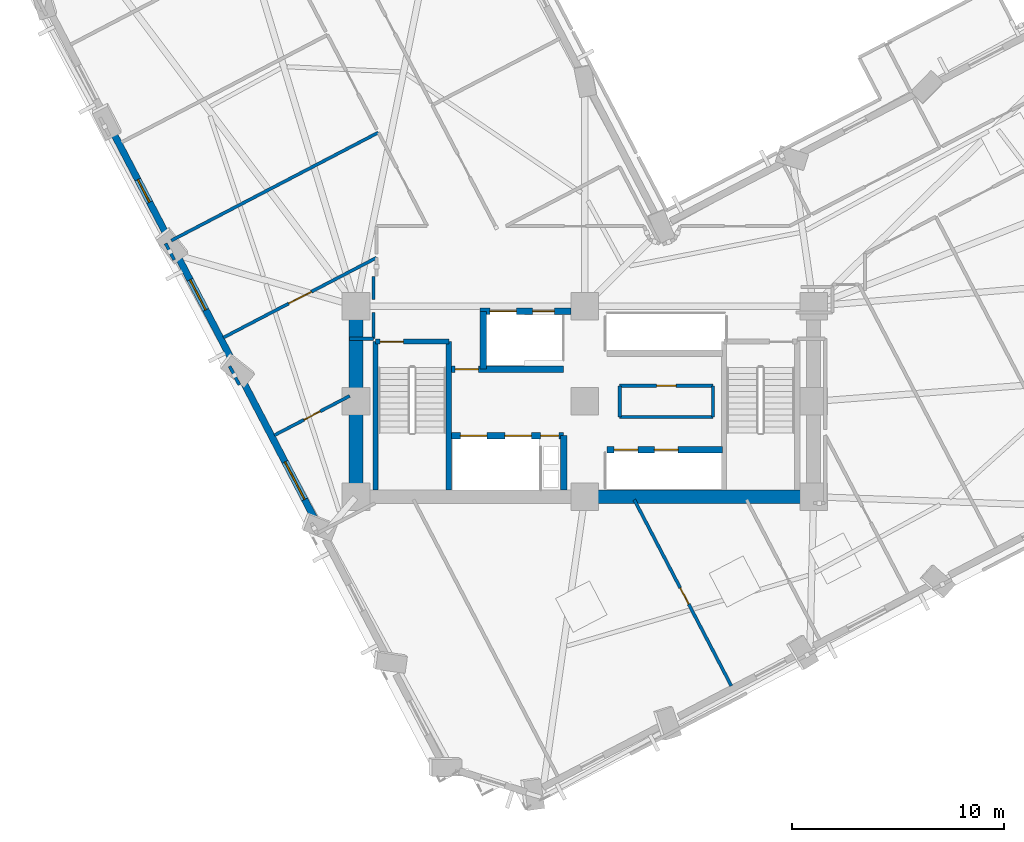
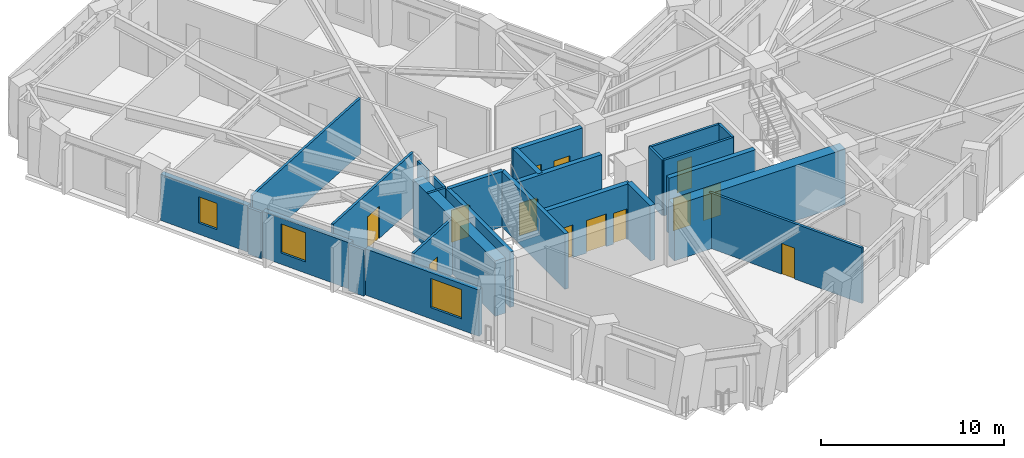
# One storey, part 8 of 16: 27 walls, 13 doors, 3 windows, 16 openings.
"""IFC4 building model written with IfcOpenShell, lengths in metres."""

from ifc_helpers import new_model, si_unit, direction, frame, frame_2d, origin, place, context, subcontext, project, spatial, rectangle, extrude, material, layer, layer_set, type_object, element, fill, save


model = new_model("IFC4")

# Units and contexts
model_context = context("Model", 3, precision=1e-05, world=origin(), true_north=direction((0.0, 1.0)))
body_context = subcontext(model_context, "Body", "Model", "MODEL_VIEW")
ifc_project = project(units=[si_unit("LENGTHUNIT", "METRE"), si_unit("AREAUNIT", "SQUARE_METRE"), si_unit("VOLUMEUNIT", "CUBIC_METRE"), si_unit("PLANEANGLEUNIT", "RADIAN"), si_unit("MASSUNIT", "GRAM", prefix="KILO")], contexts=[model_context])

# Site, building, storey
site_placement = place(None, origin())
site = spatial("IfcSite", under=ifc_project, at=site_placement, CompositionType="ELEMENT")
building_placement = place(site_placement, origin())
building = spatial("IfcBuilding", under=site, at=building_placement, Name="Gaonmaruhae Medical Tower", CompositionType="ELEMENT")
storey_placement = place(building_placement, frame((0.0, 0.0, 140.39990234375)))
storey = spatial("IfcBuildingStorey", under=building, at=storey_placement, Name="L33", CompositionType="ELEMENT", Elevation=140.39990234375)

# Walls
ifc_material_1 = material(Name="Concrete C60/75", Category="concrete")
ifc_layer_1 = layer(ifc_material_1, 0.64990234375)
ifc_layer_set_1 = layer_set([ifc_layer_1], Name="Concrete C60/75")
wall_type_1 = type_object("IfcWallType", Name="CW-650 Zone 2 Core Shear Wall", PredefinedType="SHEAR", material=ifc_layer_set_1)
wall_1_placement = place(storey_placement, frame((24.800048828125, 7.800048828125, 0.0), z_axis=(0.0, 0.0, 1.0), x_axis=(1.0, 0.0, 0.0)))
element("IfcWall", 1, at=wall_1_placement, inside=storey, type_object=wall_type_1, Name="L33 Core Shear Wall CSW-S2", PredefinedType="SHEAR", context=body_context, shape_type="SweptSolid", body=[
    extrude(rectangle(XDim=10.800048828125, YDim=0.64990234375, at=frame_2d((5.39990234375, 0.0))), origin(), (0.0, 0.0, 1.0), 3.7001953125),
])
wall_2_placement = place(storey_placement, frame((14.0, 16.800048828125, 0.0), z_axis=(0.0, 0.0, 1.0), x_axis=(0.0, -1.0, 0.0)))
element("IfcWall", 2, at=wall_2_placement, inside=storey, type_object=wall_type_1, Name="L33 Core Shear Wall CSW-W1", PredefinedType="SHEAR", context=body_context, shape_type="SweptSolid", body=[
    extrude(rectangle(XDim=9.0, YDim=0.64990234375, at=frame_2d((4.5, 0.0))), origin(), (0.0, 0.0, 1.0), 3.7001953125),
])

# Wall, opening, window
ifc_material_2 = material(Name="Precast concrete C45/55", Category="concrete")
ifc_layer_2 = layer(ifc_material_2, 0.320068359375)
ifc_layer_set_2 = layer_set([ifc_layer_2], Name="Precast concrete C45/55")
wall_type_2 = type_object("IfcWallType", Name="EW-320 Lower Precast Masonry-Frame Facade Wall", PredefinedType="SOLIDWALL", material=ifc_layer_set_2)
wall_3_placement = place(storey_placement, frame((5.1630859375, 19.9619140625, 0.0), z_axis=(0.0, 0.0, 1.0), x_axis=(-0.462505217962, 0.886616559375, 0.0)))
wall_3 = element("IfcWall", 3, at=wall_3_placement, inside=storey, type_object=wall_type_2, Name="L33 Precast Masonry-Frame Wall W02-W03", PredefinedType="SOLIDWALL", context=body_context, shape_type="SweptSolid", body=[
    extrude(rectangle(XDim=5.627685546875, YDim=0.320068359375, at=frame_2d((2.81396484375, 0.0))), origin(), (0.0, 0.0, 1.0), 3.085205078125),
])
opening_1_placement = place(wall_3_placement, frame((1.966796875, 0.0, 0.75)))
opening_1 = element("IfcOpeningElement", 4, at=opening_1_placement, cuts=wall_3, Name="Opening WN-05", PredefinedType="OPENING", context=body_context, shape_type="SweptSolid", body=[
    extrude(rectangle(XDim=1.199951171875, YDim=1.75, at=frame_2d((0.60009765625, 0.875))), frame((0.0, 0.169921875, 0.0), z_axis=(0.0, -1.0, 0.0), x_axis=(1.0, 0.0, 0.0)), (0.0, 0.0, 1.0), 0.340087890625),
])
ifc_material_3 = material(Name="Anodised aluminium and Low-E double glazing", Category="aluminium")
window_type_1 = type_object("IfcWindowType", Name="WN-05 Support & Staff Punched Window 1200x1750", PartitioningType="SINGLE_PANEL", PredefinedType="WINDOW", material=ifc_material_3)
window_1_placement = place(opening_1_placement, origin())
window_1 = element("IfcWindow", 5, at=window_1_placement, inside=storey, type_object=window_type_1, Name="L33 Modular Facade Window W02", OverallHeight=1.75, OverallWidth=1.199951171875, PartitioningType="SINGLE_PANEL", PredefinedType="WINDOW", context=body_context, shape_type="SweptSolid", body=[
    extrude(rectangle(XDim=1.199951171875, YDim=1.75, at=frame_2d((0.60009765625, 0.875))), frame((0.0, 0.030029296875, 0.0), z_axis=(0.0, -1.0, 0.0), x_axis=(1.0, 0.0, 0.0)), (0.0, 0.0, 1.0), 0.06005859375),
])
fill(opening_1, window_1)

wall_4_placement = place(storey_placement, frame((8.236572265625, 14.070556640625, 0.0), z_axis=(0.0, 0.0, 1.0), x_axis=(-0.462514432268, 0.886611752654, 0.0)))
wall_4 = element("IfcWall", 6, at=wall_4_placement, inside=storey, type_object=wall_type_2, Name="L33 Precast Masonry-Frame Wall W03-W04", PredefinedType="SOLIDWALL", context=body_context, shape_type="SweptSolid", body=[
    extrude(rectangle(XDim=5.662353515625, YDim=0.320068359375, at=frame_2d((2.8310546875, 0.0))), origin(), (0.0, 0.0, 1.0), 3.085205078125),
])
opening_2_placement = place(wall_4_placement, frame((2.880859375, 0.0, 0.75)))
opening_2 = element("IfcOpeningElement", 7, at=opening_2_placement, cuts=wall_4, Name="Opening WN-01", PredefinedType="OPENING", context=body_context, shape_type="SweptSolid", body=[
    extrude(rectangle(XDim=1.60009765625, YDim=1.949951171875, at=frame_2d((0.800048828125, 0.97509765625))), frame((0.0, 0.169921875, 0.0), z_axis=(0.0, -1.0, 0.0), x_axis=(1.0, 0.0, 0.0)), (0.0, 0.0, 1.0), 0.340087890625),
])
window_type_2 = type_object("IfcWindowType", Name="WN-01 Ward Punched Acoustic Window 1600x1950", PartitioningType="SINGLE_PANEL", PredefinedType="WINDOW", material=ifc_material_3)
window_2_placement = place(opening_2_placement, origin())
window_2 = element("IfcWindow", 8, at=window_2_placement, inside=storey, type_object=window_type_2, Name="L33 Modular Facade Window W03", OverallHeight=1.949951171875, OverallWidth=1.60009765625, PartitioningType="SINGLE_PANEL", PredefinedType="WINDOW", context=body_context, shape_type="SweptSolid", body=[
    extrude(rectangle(XDim=1.60009765625, YDim=1.949951171875, at=frame_2d((0.800048828125, 0.97509765625))), frame((0.0, 0.030029296875, 0.0), z_axis=(0.0, -1.0, 0.0), x_axis=(1.0, 0.0, 0.0)), (0.0, 0.0, 1.0), 0.06005859375),
])
fill(opening_2, window_2)

wall_5_placement = place(storey_placement, frame((12.099609375, 6.665283203125, 0.0), z_axis=(0.0, 0.0, 1.0), x_axis=(-0.462525196515, 0.886606137238, 0.0)))
wall_5 = element("IfcWall", 9, at=wall_5_placement, inside=storey, type_object=wall_type_2, Name="L33 Precast Masonry-Frame Wall W04-W05", PredefinedType="SOLIDWALL", context=body_context, shape_type="SweptSolid", body=[
    extrude(rectangle(XDim=7.3603515625, YDim=0.320068359375, at=frame_2d((3.68017578125, 0.0))), origin(), (0.0, 0.0, 1.0), 3.085205078125),
])
opening_3_placement = place(wall_5_placement, frame((1.1376953125, 0.0, 0.75)))
opening_3 = element("IfcOpeningElement", 10, at=opening_3_placement, cuts=wall_5, Name="Opening WN-02", PredefinedType="OPENING", context=body_context, shape_type="SweptSolid", body=[
    extrude(rectangle(XDim=2.0, YDim=1.949951171875, at=frame_2d((1.0, 0.97509765625))), frame((0.0, 0.169921875, 0.0), z_axis=(0.0, -1.0, 0.0), x_axis=(1.0, 0.0, 0.0)), (0.0, 0.0, 1.0), 0.340087890625),
])
window_type_3 = type_object("IfcWindowType", Name="WN-02 Double-Bed Ward Punched Window 2000x1950", PartitioningType="SINGLE_PANEL", PredefinedType="WINDOW", material=ifc_material_3)
window_3_placement = place(opening_3_placement, origin())
window_3 = element("IfcWindow", 11, at=window_3_placement, inside=storey, type_object=window_type_3, Name="L33 Modular Facade Window W04", OverallHeight=1.949951171875, OverallWidth=2.0, PartitioningType="SINGLE_PANEL", PredefinedType="WINDOW", context=body_context, shape_type="SweptSolid", body=[
    extrude(rectangle(XDim=2.0, YDim=1.949951171875, at=frame_2d((1.0, 0.97509765625))), frame((0.0, 0.030029296875, 0.0), z_axis=(0.0, -1.0, 0.0), x_axis=(1.0, 0.0, 0.0)), (0.0, 0.0, 1.0), 0.06005859375),
])
fill(opening_3, window_3)

# Wall
ifc_material_4 = material(Name="Gypsum board partition", Category="gypsum")
ifc_layer_3 = layer(ifc_material_4, 0.14990234375)
ifc_layer_set_3 = layer_set([ifc_layer_3], Name="Gypsum board partition")
wall_type_3 = type_object("IfcWallType", Name="PW-150 Rated Clinical Corridor Partition", PredefinedType="PARTITIONING", material=ifc_layer_set_3)
wall_6_placement = place(storey_placement, frame((26.449951171875, 11.56005859375, 0.0), z_axis=(0.0, 0.0, 1.0), x_axis=(0.0, 1.0, 0.0)))
element("IfcWall", 12, at=wall_6_placement, inside=storey, type_object=wall_type_3, Name="L33 Interior Partition L33-CS1-1", PredefinedType="PARTITIONING", context=body_context, shape_type="SweptSolid", body=[
    extrude(rectangle(XDim=1.47998046875, YDim=0.14990234375, at=frame_2d((0.739990234375, 0.0))), origin(), (0.0, 0.0, 1.0), 3.7001953125),
])

# Wall, opening, door
wall_7_placement = place(storey_placement, frame((26.449951171875, 13.0400390625, 0.0), z_axis=(0.0, 0.0, 1.0), x_axis=(1.0, 0.0, 0.0)))
wall_7 = element("IfcWall", 13, at=wall_7_placement, inside=storey, type_object=wall_type_3, Name="L33 Interior Partition L33-CS1-2", PredefinedType="PARTITIONING", context=body_context, shape_type="SweptSolid", body=[
    extrude(rectangle(XDim=4.400146484375, YDim=0.14990234375, at=frame_2d((2.2001953125, 0.0))), origin(), (0.0, 0.0, 1.0), 3.7001953125),
])
opening_4_placement = place(wall_7_placement, frame((1.739990234375, 0.0, 0.0)))
opening_4 = element("IfcOpeningElement", 14, at=opening_4_placement, cuts=wall_7, Name="Opening UD-01", PredefinedType="OPENING", context=body_context, shape_type="SweptSolid", body=[
    extrude(rectangle(XDim=0.919921875, YDim=2.10009765625, at=frame_2d((0.4599609375, 1.050048828125))), frame((0.0, 0.0849609375, 0.0), z_axis=(0.0, -1.0, 0.0), x_axis=(1.0, 0.0, 0.0)), (0.0, 0.0, 1.0), 0.169921875),
])
ifc_material_5 = material(Name="Powder-coated steel utility door", Category="steel")
door_type_1 = type_object("IfcDoorType", Name="UD-01 Toilet, Utility & Housekeeping Door 920x2100", OperationType="NOTDEFINED", PredefinedType="DOOR", material=ifc_material_5)
door_1_placement = place(opening_4_placement, origin())
door_1 = element("IfcDoor", 15, at=door_1_placement, inside=storey, type_object=door_type_1, Name="L33 Clean Linen Utility Store Door", OperationType="SINGLE_SWING_LEFT", OverallHeight=2.10009765625, OverallWidth=0.919921875, PredefinedType="DOOR", context=body_context, shape_type="SweptSolid", body=[
    extrude(rectangle(XDim=0.919921875, YDim=2.10009765625, at=frame_2d((0.4599609375, 1.050048828125))), frame((0.0, 0.02490234375, 0.0), z_axis=(0.0, -1.0, 0.0), x_axis=(1.0, 0.0, 0.0)), (0.0, 0.0, 1.0), 0.050048828125),
])
fill(opening_4, door_1)

# Walls
wall_8_placement = place(storey_placement, frame((30.85009765625, 13.0400390625, 0.0), z_axis=(0.0, 0.0, 1.0), x_axis=(0.0, -1.0, 0.0)))
element("IfcWall", 16, at=wall_8_placement, inside=storey, type_object=wall_type_3, Name="L33 Interior Partition L33-CS1-3", PredefinedType="PARTITIONING", context=body_context, shape_type="SweptSolid", body=[
    extrude(rectangle(XDim=1.47998046875, YDim=0.14990234375, at=frame_2d((0.739990234375, 0.0))), origin(), (0.0, 0.0, 1.0), 3.7001953125),
])
wall_9_placement = place(storey_placement, frame((30.85009765625, 11.56005859375, 0.0), z_axis=(0.0, 0.0, 1.0), x_axis=(-1.0, 0.0, 0.0)))
element("IfcWall", 17, at=wall_9_placement, inside=storey, type_object=wall_type_3, Name="L33 Interior Partition L33-CS1-4", PredefinedType="PARTITIONING", context=body_context, shape_type="SweptSolid", body=[
    extrude(rectangle(XDim=4.400146484375, YDim=0.14990234375, at=frame_2d((2.2001953125, 0.0))), origin(), (0.0, 0.0, 1.0), 3.7001953125),
])

# Wall, opening, door
wall_10_placement = place(storey_placement, frame((27.135986328125, 7.657958984375, 0.0), z_axis=(0.0, 0.0, 1.0), x_axis=(0.462417770768, -0.886662170884, 0.0)))
wall_10 = element("IfcWall", 18, at=wall_10_placement, inside=storey, type_object=wall_type_3, Name="L33 Interior Partition L33-SUP03-8", PredefinedType="PARTITIONING", context=body_context, shape_type="SweptSolid", body=[
    extrude(rectangle(XDim=9.90673828125, YDim=0.14990234375, at=frame_2d((4.953369140625, 0.0))), origin(), (0.0, 0.0, 1.0), 3.7001953125),
])
opening_5_placement = place(wall_10_placement, frame((4.69287109375, 0.0, 0.0)))
opening_5 = element("IfcOpeningElement", 19, at=opening_5_placement, cuts=wall_10, Name="Opening AD-01", PredefinedType="OPENING", context=body_context, shape_type="SweptSolid", body=[
    extrude(rectangle(XDim=0.860107421875, YDim=2.06005859375, at=frame_2d((0.43017578125, 1.030029296875))), frame((0.0, 0.0849609375, 0.0), z_axis=(0.0, -1.0, 0.0), x_axis=(1.0, 0.0, 0.0)), (0.0, 0.0, 1.0), 0.169921875),
])
ifc_material_6 = material(Name="Powder-coated steel access door", Category="steel")
door_type_2 = type_object("IfcDoorType", Name="AD-01 Riser & Closet Access Fire Door 860x2060", OperationType="NOTDEFINED", PredefinedType="DOOR", material=ifc_material_6)
door_2_placement = place(opening_5_placement, origin())
door_2 = element("IfcDoor", 20, at=door_2_placement, inside=storey, type_object=door_type_2, Name="L33 Clinical Biomedical Charting Office Sliding Door", OperationType="SLIDING_TO_LEFT", OverallHeight=2.06005859375, OverallWidth=0.860107421875, PredefinedType="DOOR", context=body_context, shape_type="SweptSolid", body=[
    extrude(rectangle(XDim=0.860107421875, YDim=2.06005859375, at=frame_2d((0.43017578125, 1.030029296875))), frame((0.0, 0.02490234375, 0.0), z_axis=(0.0, -1.0, 0.0), x_axis=(1.0, 0.0, 0.0)), (0.0, 0.0, 1.0), 0.050048828125),
])
fill(opening_5, door_2)

wall_11_placement = place(storey_placement, frame((10.14599609375, 10.702880859375, 0.0), z_axis=(0.0, 0.0, 1.0), x_axis=(0.886483842084, 0.462759546335, 0.0)))
wall_11 = element("IfcWall", 21, at=wall_11_placement, inside=storey, type_object=wall_type_3, Name="L33 Interior Partition L33-WOF11-37", PredefinedType="PARTITIONING", context=body_context, shape_type="SweptSolid", body=[
    extrude(rectangle(XDim=4.009033203125, YDim=0.14990234375, at=frame_2d((2.00439453125, 0.0))), origin(), (0.0, 0.0, 1.0), 3.7001953125),
])
opening_6_placement = place(wall_11_placement, frame((1.574462890625, 0.0, 0.0)))
opening_6 = element("IfcOpeningElement", 22, at=opening_6_placement, cuts=wall_11, Name="Opening AD-01", PredefinedType="OPENING", context=body_context, shape_type="SweptSolid", body=[
    extrude(rectangle(XDim=0.860107421875, YDim=2.06005859375, at=frame_2d((0.43017578125, 1.030029296875))), frame((0.0, 0.0849609375, 0.0), z_axis=(0.0, -1.0, 0.0), x_axis=(1.0, 0.0, 0.0)), (0.0, 0.0, 1.0), 0.169921875),
])
door_3_placement = place(opening_6_placement, origin())
door_3 = element("IfcDoor", 23, at=door_3_placement, inside=storey, type_object=door_type_2, Name="L33 Ward Physician Reporting Office Sliding Door", OperationType="SLIDING_TO_LEFT", OverallHeight=2.06005859375, OverallWidth=0.860107421875, PredefinedType="DOOR", context=body_context, shape_type="SweptSolid", body=[
    extrude(rectangle(XDim=0.860107421875, YDim=2.06005859375, at=frame_2d((0.43017578125, 1.030029296875))), frame((0.0, 0.02490234375, 0.0), z_axis=(0.0, -1.0, 0.0), x_axis=(1.0, 0.0, 0.0)), (0.0, 0.0, 1.0), 0.050048828125),
])
fill(opening_6, door_3)

# Walls
wall_12_placement = place(storey_placement, frame((14.820068359375, 18.199951171875, 0.0), z_axis=(0.0, 0.0, 1.0), x_axis=(0.0, -1.0, 0.0)))
element("IfcWall", 24, at=wall_12_placement, inside=storey, type_object=wall_type_3, Name="L33 Interior Partition L33-WCL12-38", PredefinedType="PARTITIONING", context=body_context, shape_type="SweptSolid", body=[
    extrude(rectangle(XDim=1.091064453125, YDim=0.14990234375, at=frame_2d((0.54541015625, 0.0))), origin(), (0.0, 0.0, 1.0), 3.7001953125),
])
wall_13_placement = place(storey_placement, frame((14.820068359375, 16.490966796875, 0.0), z_axis=(0.0, 0.0, 1.0), x_axis=(0.0, -1.0, 0.0)))
element("IfcWall", 25, at=wall_13_placement, inside=storey, type_object=wall_type_3, Name="L33 Interior Partition L33-WCL12-39", PredefinedType="PARTITIONING", context=body_context, shape_type="SweptSolid", body=[
    extrude(rectangle(XDim=1.23095703125, YDim=0.14990234375, at=frame_2d((0.615478515625, 0.0))), origin(), (0.0, 0.0, 1.0), 3.7001953125),
])
wall_14_placement = place(storey_placement, frame((14.820068359375, 15.260009765625, 0.0), z_axis=(0.0, 0.0, 1.0), x_axis=(-1.0, 0.0, 0.0)))
element("IfcWall", 26, at=wall_14_placement, inside=storey, type_object=wall_type_3, Name="L33 Interior Partition L33-WCL12-40", PredefinedType="PARTITIONING", context=body_context, shape_type="SweptSolid", body=[
    extrude(rectangle(XDim=1.1201171875, YDim=0.14990234375, at=frame_2d((0.56005859375, 0.0))), origin(), (0.0, 0.0, 1.0), 3.7001953125),
])
wall_15_placement = place(storey_placement, frame((8.491943359375, 13.0849609375, 0.0), z_axis=(0.0, 0.0, 1.0), x_axis=(-0.462801553739, 0.886461912242, 0.0)))
element("IfcWall", 27, at=wall_15_placement, inside=storey, type_object=wall_type_3, Name="L33 Interior Partition L33-WCL12-41", PredefinedType="PARTITIONING", context=body_context, shape_type="SweptSolid", body=[
    extrude(rectangle(XDim=0.99169921875, YDim=0.14990234375, at=frame_2d((0.495849609375, 0.0))), origin(), (0.0, 0.0, 1.0), 3.085205078125),
])

# Wall, opening, door
wall_16_placement = place(storey_placement, frame((7.739990234375, 15.31396484375, 0.0), z_axis=(0.0, 0.0, 1.0), x_axis=(0.886643562376, 0.46245344987, 0.0)))
wall_16 = element("IfcWall", 28, at=wall_16_placement, inside=storey, type_object=wall_type_3, Name="L33 Interior Partition L33-WCL12-42", PredefinedType="PARTITIONING", context=body_context, shape_type="SweptSolid", body=[
    extrude(rectangle(XDim=8.154296875, YDim=0.14990234375, at=frame_2d((4.0771484375, 0.0))), origin(), (0.0, 0.0, 1.0), 3.7001953125),
])
opening_7_placement = place(wall_16_placement, frame((3.477294921875, 0.0, 0.0)))
opening_7 = element("IfcOpeningElement", 29, at=opening_7_placement, cuts=wall_16, Name="Opening CD-02", PredefinedType="OPENING", context=body_context, shape_type="SweptSolid", body=[
    extrude(rectangle(XDim=1.199951171875, YDim=2.14990234375, at=frame_2d((0.60009765625, 1.074951171875))), frame((0.0, 0.0849609375, 0.0), z_axis=(0.0, -1.0, 0.0), x_axis=(1.0, 0.0, 0.0)), (0.0, 0.0, 1.0), 0.169921875),
])
ifc_material_7 = material(Name="Antimicrobial laminate timber fire door", Category="wood")
door_type_3 = type_object("IfcDoorType", Name="CD-02 Clinical Treatment & Procedure Door 1200x2150", OperationType="NOTDEFINED", PredefinedType="DOOR", material=ifc_material_7)
door_4_placement = place(opening_7_placement, origin())
door_4 = element("IfcDoor", 30, at=door_4_placement, inside=storey, type_object=door_type_3, Name="L33 Specialist Consultation Office Sliding Door", OperationType="SLIDING_TO_LEFT", OverallHeight=2.14990234375, OverallWidth=1.199951171875, PredefinedType="DOOR", context=body_context, shape_type="SweptSolid", body=[
    extrude(rectangle(XDim=1.199951171875, YDim=2.14990234375, at=frame_2d((0.60009765625, 1.074951171875))), frame((0.0, 0.02490234375, 0.0), z_axis=(0.0, -1.0, 0.0), x_axis=(1.0, 0.0, 0.0)), (0.0, 0.0, 1.0), 0.050048828125),
])
fill(opening_7, door_4)

# Walls
wall_17_placement = place(storey_placement, frame((5.4140625, 18.98388671875, 0.0), z_axis=(0.0, 0.0, 1.0), x_axis=(-0.462422071375, 0.886659927991, 0.0)))
element("IfcWall", 31, at=wall_17_placement, inside=storey, type_object=wall_type_3, Name="L33 Interior Partition L33-WOF13-45", PredefinedType="PARTITIONING", context=body_context, shape_type="SweptSolid", body=[
    extrude(rectangle(XDim=0.86962890625, YDim=0.14990234375, at=frame_2d((0.434814453125, 0.0))), origin(), (0.0, 0.0, 1.0), 3.085205078125),
])
wall_18_placement = place(storey_placement, frame((5.280029296875, 19.89501953125, 0.0), z_axis=(0.0, 0.0, 1.0), x_axis=(0.886580898603, 0.462573572777, 0.0)))
element("IfcWall", 32, at=wall_18_placement, inside=storey, type_object=wall_type_3, Name="L33 Interior Partition L33-WOF13-46", PredefinedType="PARTITIONING", context=body_context, shape_type="SweptSolid", body=[
    extrude(rectangle(XDim=11.027587890625, YDim=0.14990234375, at=frame_2d((5.513671875, 0.0))), origin(), (0.0, 0.0, 1.0), 3.7001953125),
])

# Wall, opening, door
ifc_material_8 = material(Name="Concrete C50/60", Category="concrete")
ifc_layer_4 = layer(ifc_material_8, 0.239990234375)
ifc_layer_set_4 = layer_set([ifc_layer_4], Name="Concrete C50/60")
wall_type_4 = type_object("IfcWallType", Name="SW-240 Dogleg Stair Tight Shaft Wall", PredefinedType="SOLIDWALL", material=ifc_layer_set_4)
wall_19_placement = place(storey_placement, frame((14.919921875, 15.1201171875, 0.0), z_axis=(0.0, 0.0, 1.0), x_axis=(1.0, 0.0, 0.0)))
wall_19 = element("IfcWall", 33, at=wall_19_placement, inside=storey, type_object=wall_type_4, Name="L33 ST-01 Stair Shaft Wall SHW-ST-01-N", PredefinedType="SOLIDWALL", context=body_context, shape_type="SweptSolid", body=[
    extrude(rectangle(XDim=3.4599609375, YDim=0.239990234375, at=frame_2d((1.72998046875, 0.0))), origin(), (0.0, 0.0, 1.0), 3.7001953125),
])
opening_8_placement = place(wall_19_placement, frame((0.219970703125, 0.0, 0.0)))
opening_8 = element("IfcOpeningElement", 34, at=opening_8_placement, cuts=wall_19, Name="Opening FD-01", PredefinedType="OPENING", context=body_context, shape_type="SweptSolid", body=[
    extrude(rectangle(XDim=1.10009765625, YDim=2.14990234375, at=frame_2d((0.550048828125, 1.074951171875))), frame((0.0, 0.1298828125, 0.0), z_axis=(0.0, -1.0, 0.0), x_axis=(1.0, 0.0, 0.0)), (0.0, 0.0, 1.0), 0.260009765625),
])
ifc_material_9 = material(Name="Powder-coated steel fire door", Category="steel")
door_type_4 = type_object("IfcDoorType", Name="FD-01 Escape Stair Protected Fire Door 1100x2150", OperationType="NOTDEFINED", PredefinedType="DOOR", material=ifc_material_9)
door_5_placement = place(opening_8_placement, origin())
door_5 = element("IfcDoor", 35, at=door_5_placement, inside=storey, type_object=door_type_4, Name="L33 ST-01 Protected Escape Stair Door", OperationType="SINGLE_SWING_LEFT", OverallHeight=2.14990234375, OverallWidth=1.10009765625, PredefinedType="DOOR", context=body_context, shape_type="SweptSolid", body=[
    extrude(rectangle(XDim=1.10009765625, YDim=2.14990234375, at=frame_2d((0.550048828125, 1.074951171875))), frame((0.0, 0.02490234375, 0.0), z_axis=(0.0, -1.0, 0.0), x_axis=(1.0, 0.0, 0.0)), (0.0, 0.0, 1.0), 0.050048828125),
])
fill(opening_8, door_5)

# Walls
for number, where, z_axis, x_axis, name in (
    (36, (18.3798828125, 15.1201171875, 0.0), (0.0, 0.0, 1.0), (0.0, -1.0, 0.0), "L33 ST-01 Stair Shaft Wall SHW-ST-01-E"),
    (37, (14.919921875, 8.125, 0.0), (0.0, 0.0, 1.0), (0.0, 1.0, 0.0), "L33 ST-01 Stair Shaft Wall SHW-ST-01-W"),
):
    element("IfcWall", number, at=place(storey_placement, frame(where, z_axis=z_axis, x_axis=x_axis)), inside=storey, type_object=wall_type_4, Name=name, PredefinedType="SOLIDWALL", context=body_context, shape_type="SweptSolid", body=[
        extrude(rectangle(XDim=6.9951171875, YDim=0.239990234375, at=frame_2d((3.49755859375, 0.0))), origin(), (0.0, 0.0, 1.0), 3.7001953125),
    ])

# Wall, openings, doors
ifc_layer_5 = layer(ifc_material_8, 0.300048828125)
ifc_layer_set_5 = layer_set([ifc_layer_5], Name="Concrete C50/60")
wall_type_5 = type_object("IfcWallType", Name="SW-300 Stair & Lift Hoistway Shaft Wall", PredefinedType="SOLIDWALL", material=ifc_layer_set_5)
wall_20_placement = place(storey_placement, frame((19.85009765625, 16.550048828125, 0.0), z_axis=(0.0, 0.0, 1.0), x_axis=(1.0, 0.0, 0.0)))
wall_20 = element("IfcWall", 38, at=wall_20_placement, inside=storey, type_object=wall_type_5, Name="L33 Core Shear Wall CSW-NB", PredefinedType="SOLIDWALL", context=body_context, shape_type="SweptSolid", body=[
    extrude(rectangle(XDim=4.2998046875, YDim=0.300048828125, at=frame_2d((2.14990234375, 0.0))), origin(), (0.0, 0.0, 1.0), 3.7001953125),
])
opening_9_placement = place(wall_20_placement, frame((0.47509765625, 0.0, 0.0)))
opening_9 = element("IfcOpeningElement", 39, at=opening_9_placement, cuts=wall_20, Name="Opening LD-F1", PredefinedType="OPENING", context=body_context, shape_type="SweptSolid", body=[
    extrude(rectangle(XDim=1.25, YDim=2.179931640625, at=frame_2d((0.625, 1.08984375))), frame((0.0, 0.16015625, 0.0), z_axis=(0.0, -1.0, 0.0), x_axis=(1.0, 0.0, 0.0)), (0.0, 0.0, 1.0), 0.320068359375),
])
opening_10_placement = place(wall_20_placement, frame((2.489990234375, 0.0, 0.0)))
opening_10 = element("IfcOpeningElement", 40, at=opening_10_placement, cuts=wall_20, Name="Opening LD-S1", PredefinedType="OPENING", context=body_context, shape_type="SweptSolid", body=[
    extrude(rectangle(XDim=1.02001953125, YDim=2.1201171875, at=frame_2d((0.510009765625, 1.06005859375))), frame((0.0, 0.16015625, 0.0), z_axis=(0.0, -1.0, 0.0), x_axis=(1.0, 0.0, 0.0)), (0.0, 0.0, 1.0), 0.320068359375),
])
ifc_material_10 = material(Name="Brushed stainless steel 316L landing door", Category="steel")
door_type_5 = type_object("IfcDoorType", Name="LD-F1 Firefighting & Bed Lift Sliding Landing Door 1250x2180", OperationType="NOTDEFINED", PredefinedType="DOOR", material=ifc_material_10)
door_6_placement = place(opening_9_placement, origin())
door_6 = element("IfcDoor", 41, at=door_6_placement, inside=storey, type_object=door_type_5, Name="L33 Service/Bed Lift Landing Door BDL-01", OperationType="DOUBLE_DOOR_SLIDING", OverallHeight=2.179931640625, OverallWidth=1.25, PredefinedType="DOOR", context=body_context, shape_type="SweptSolid", body=[
    extrude(rectangle(XDim=1.25, YDim=2.179931640625, at=frame_2d((0.625, 1.08984375))), frame((0.0, 0.02490234375, 0.0), z_axis=(0.0, -1.0, 0.0), x_axis=(1.0, 0.0, 0.0)), (0.0, 0.0, 1.0), 0.050048828125),
])
fill(opening_9, door_6)
ifc_material_11 = material(Name="Brushed stainless steel 304 landing door", Category="steel")
door_type_6 = type_object("IfcDoorType", Name="LD-S1 Service Lift Sliding Landing Door 1020x2120", OperationType="NOTDEFINED", PredefinedType="DOOR", material=ifc_material_11)
door_7_placement = place(opening_10_placement, origin())
door_7 = element("IfcDoor", 42, at=door_7_placement, inside=storey, type_object=door_type_6, Name="L33 Service/Bed Lift Landing Door SVL-01", OperationType="SLIDING_TO_LEFT", OverallHeight=2.1201171875, OverallWidth=1.02001953125, PredefinedType="DOOR", context=body_context, shape_type="SweptSolid", body=[
    extrude(rectangle(XDim=1.02001953125, YDim=2.1201171875, at=frame_2d((0.510009765625, 1.06005859375))), frame((0.0, 0.02490234375, 0.0), z_axis=(0.0, -1.0, 0.0), x_axis=(1.0, 0.0, 0.0)), (0.0, 0.0, 1.0), 0.050048828125),
])
fill(opening_10, door_7)

wall_21_placement = place(storey_placement, frame((18.5, 10.679931640625, 0.0), z_axis=(0.0, 0.0, 1.0), x_axis=(1.0, 0.0, 0.0)))
wall_21 = element("IfcWall", 43, at=wall_21_placement, inside=storey, type_object=wall_type_5, Name="L33 Shaft Enclosure Wall SHW-FFN", PredefinedType="SOLIDWALL", context=body_context, shape_type="SweptSolid", body=[
    extrude(rectangle(XDim=5.300048828125, YDim=0.300048828125, at=frame_2d((2.64990234375, 0.0))), origin(), (0.0, 0.0, 1.0), 3.7001953125),
])
opening_11_placement = place(wall_21_placement, frame((4.219970703125, 0.0, 0.0)))
opening_11 = element("IfcOpeningElement", 44, at=opening_11_placement, cuts=wall_21, Name="Opening AD-01", PredefinedType="OPENING", context=body_context, shape_type="SweptSolid", body=[
    extrude(rectangle(XDim=0.860107421875, YDim=2.06005859375, at=frame_2d((0.43017578125, 1.030029296875))), frame((0.0, 0.16015625, 0.0), z_axis=(0.0, -1.0, 0.0), x_axis=(1.0, 0.0, 0.0)), (0.0, 0.0, 1.0), 0.320068359375),
])
opening_12_placement = place(wall_21_placement, frame((0.425048828125, 0.0, 0.0)))
opening_12 = element("IfcOpeningElement", 45, at=opening_12_placement, cuts=wall_21, Name="Opening LD-F1", PredefinedType="OPENING", context=body_context, shape_type="SweptSolid", body=[
    extrude(rectangle(XDim=1.25, YDim=2.179931640625, at=frame_2d((0.625, 1.08984375))), frame((0.0, 0.16015625, 0.0), z_axis=(0.0, -1.0, 0.0), x_axis=(1.0, 0.0, 0.0)), (0.0, 0.0, 1.0), 0.320068359375),
])
opening_13_placement = place(wall_21_placement, frame((2.52490234375, 0.0, 0.0)))
opening_13 = element("IfcOpeningElement", 46, at=opening_13_placement, cuts=wall_21, Name="Opening LD-F1", PredefinedType="OPENING", context=body_context, shape_type="SweptSolid", body=[
    extrude(rectangle(XDim=1.25, YDim=2.179931640625, at=frame_2d((0.625, 1.08984375))), frame((0.0, 0.16015625, 0.0), z_axis=(0.0, -1.0, 0.0), x_axis=(1.0, 0.0, 0.0)), (0.0, 0.0, 1.0), 0.320068359375),
])
door_8_placement = place(opening_11_placement, origin())
door_8 = element("IfcDoor", 47, at=door_8_placement, inside=storey, type_object=door_type_2, Name="L33 Medical Gas and MEP Riser Access Door", OperationType="SINGLE_SWING_RIGHT", OverallHeight=2.06005859375, OverallWidth=0.860107421875, PredefinedType="DOOR", context=body_context, shape_type="SweptSolid", body=[
    extrude(rectangle(XDim=0.860107421875, YDim=2.06005859375, at=frame_2d((0.43017578125, 1.030029296875))), frame((0.0, 0.02490234375, 0.0), z_axis=(0.0, -1.0, 0.0), x_axis=(1.0, 0.0, 0.0)), (0.0, 0.0, 1.0), 0.050048828125),
])
fill(opening_11, door_8)
door_9_placement = place(opening_12_placement, origin())
door_9 = element("IfcDoor", 48, at=door_9_placement, inside=storey, type_object=door_type_5, Name="L33 Firefighting Lift Landing Door FFL-01", OperationType="DOUBLE_DOOR_SLIDING", OverallHeight=2.179931640625, OverallWidth=1.25, PredefinedType="DOOR", context=body_context, shape_type="SweptSolid", body=[
    extrude(rectangle(XDim=1.25, YDim=2.179931640625, at=frame_2d((0.625, 1.08984375))), frame((0.0, 0.02490234375, 0.0), z_axis=(0.0, -1.0, 0.0), x_axis=(1.0, 0.0, 0.0)), (0.0, 0.0, 1.0), 0.050048828125),
])
fill(opening_12, door_9)
door_10_placement = place(opening_13_placement, origin())
door_10 = element("IfcDoor", 49, at=door_10_placement, inside=storey, type_object=door_type_5, Name="L33 Firefighting Lift Landing Door FFL-02", OperationType="DOUBLE_DOOR_SLIDING", OverallHeight=2.179931640625, OverallWidth=1.25, PredefinedType="DOOR", context=body_context, shape_type="SweptSolid", body=[
    extrude(rectangle(XDim=1.25, YDim=2.179931640625, at=frame_2d((0.625, 1.08984375))), frame((0.0, 0.02490234375, 0.0), z_axis=(0.0, -1.0, 0.0), x_axis=(1.0, 0.0, 0.0)), (0.0, 0.0, 1.0), 0.050048828125),
])
fill(opening_13, door_10)

# Wall, opening, door
wall_22_placement = place(storey_placement, frame((18.5, 13.820068359375, 0.0), z_axis=(0.0, 0.0, 1.0), x_axis=(1.0, 0.0, 0.0)))
wall_22 = element("IfcWall", 50, at=wall_22_placement, inside=storey, type_object=wall_type_5, Name="L33 Shaft Enclosure Wall SHW-FFL", PredefinedType="SOLIDWALL", context=body_context, shape_type="SweptSolid", body=[
    extrude(rectangle(XDim=5.300048828125, YDim=0.300048828125, at=frame_2d((2.64990234375, 0.0))), origin(), (0.0, 0.0, 1.0), 3.7001953125),
])
opening_14_placement = place(wall_22_placement, frame((0.179931640625, 0.0, 0.0)))
opening_14 = element("IfcOpeningElement", 51, at=opening_14_placement, cuts=wall_22, Name="Opening FD-01", PredefinedType="OPENING", context=body_context, shape_type="SweptSolid", body=[
    extrude(rectangle(XDim=1.10009765625, YDim=2.14990234375, at=frame_2d((0.550048828125, 1.074951171875))), frame((0.0, 0.16015625, 0.0), z_axis=(0.0, -1.0, 0.0), x_axis=(1.0, 0.0, 0.0)), (0.0, 0.0, 1.0), 0.320068359375),
])
door_11_placement = place(opening_14_placement, origin())
door_11 = element("IfcDoor", 52, at=door_11_placement, inside=storey, type_object=door_type_4, Name="L33 Firefighting Lobby Smoke Door", OperationType="SINGLE_SWING_LEFT", OverallHeight=2.14990234375, OverallWidth=1.10009765625, PredefinedType="DOOR", context=body_context, shape_type="SweptSolid", body=[
    extrude(rectangle(XDim=1.10009765625, YDim=2.14990234375, at=frame_2d((0.550048828125, 1.074951171875))), frame((0.0, 0.02490234375, 0.0), z_axis=(0.0, -1.0, 0.0), x_axis=(1.0, 0.0, 0.0)), (0.0, 0.0, 1.0), 0.050048828125),
])
fill(opening_14, door_11)

# Walls
wall_23_placement = place(storey_placement, frame((23.800048828125, 8.125, 0.0), z_axis=(0.0, 0.0, 1.0), x_axis=(0.0, 1.0, 0.0)))
element("IfcWall", 53, at=wall_23_placement, inside=storey, type_object=wall_type_5, Name="L33 Shaft Enclosure Wall SHW-FFE", PredefinedType="SOLIDWALL", context=body_context, shape_type="SweptSolid", body=[
    extrude(rectangle(XDim=2.554931640625, YDim=0.300048828125, at=frame_2d((1.27734375, 0.0))), origin(), (0.0, 0.0, 1.0), 3.7001953125),
])
wall_24_placement = place(storey_placement, frame((20.0, 13.820068359375, 0.0), z_axis=(0.0, 0.0, 1.0), x_axis=(0.0, 1.0, 0.0)))
element("IfcWall", 54, at=wall_24_placement, inside=storey, type_object=wall_type_5, Name="L33 Shaft Enclosure Wall SHW-BDW", PredefinedType="SOLIDWALL", context=body_context, shape_type="SweptSolid", body=[
    extrude(rectangle(XDim=2.72998046875, YDim=0.300048828125, at=frame_2d((1.364990234375, 0.0))), origin(), (0.0, 0.0, 1.0), 3.7001953125),
])

# Wall, openings, doors
wall_25_placement = place(storey_placement, frame((25.85009765625, 10.02001953125, 0.0), z_axis=(0.0, 0.0, 1.0), x_axis=(1.0, 0.0, 0.0)))
wall_25 = element("IfcWall", 55, at=wall_25_placement, inside=storey, type_object=wall_type_5, Name="L33 Shaft Enclosure Wall SHW-PLS", PredefinedType="SOLIDWALL", context=body_context, shape_type="SweptSolid", body=[
    extrude(rectangle(XDim=5.449951171875, YDim=0.300048828125, at=frame_2d((2.72509765625, 0.0))), origin(), (0.0, 0.0, 1.0), 3.7001953125),
])
opening_15_placement = place(wall_25_placement, frame((0.340087890625, 0.0, 0.0)))
opening_15 = element("IfcOpeningElement", 56, at=opening_15_placement, cuts=wall_25, Name="Opening LD-P1", PredefinedType="OPENING", context=body_context, shape_type="SweptSolid", body=[
    extrude(rectangle(XDim=1.1201171875, YDim=2.14990234375, at=frame_2d((0.56005859375, 1.074951171875))), frame((0.0, 0.16015625, 0.0), z_axis=(0.0, -1.0, 0.0), x_axis=(1.0, 0.0, 0.0)), (0.0, 0.0, 1.0), 0.320068359375),
])
opening_16_placement = place(wall_25_placement, frame((2.239990234375, 0.0, 0.0)))
opening_16 = element("IfcOpeningElement", 57, at=opening_16_placement, cuts=wall_25, Name="Opening LD-P1", PredefinedType="OPENING", context=body_context, shape_type="SweptSolid", body=[
    extrude(rectangle(XDim=1.1201171875, YDim=2.14990234375, at=frame_2d((0.56005859375, 1.074951171875))), frame((0.0, 0.16015625, 0.0), z_axis=(0.0, -1.0, 0.0), x_axis=(1.0, 0.0, 0.0)), (0.0, 0.0, 1.0), 0.320068359375),
])
door_type_7 = type_object("IfcDoorType", Name="LD-P1 Passenger Lift Sliding Landing Door 1120x2150", OperationType="NOTDEFINED", PredefinedType="DOOR", material=ifc_material_11)
door_12_placement = place(opening_15_placement, origin())
door_12 = element("IfcDoor", 58, at=door_12_placement, inside=storey, type_object=door_type_7, Name="L33 Passenger Lift Landing Door PL-L1", OperationType="DOUBLE_DOOR_SLIDING", OverallHeight=2.14990234375, OverallWidth=1.1201171875, PredefinedType="DOOR", context=body_context, shape_type="SweptSolid", body=[
    extrude(rectangle(XDim=1.1201171875, YDim=2.14990234375, at=frame_2d((0.56005859375, 1.074951171875))), frame((0.0, 0.02490234375, 0.0), z_axis=(0.0, -1.0, 0.0), x_axis=(1.0, 0.0, 0.0)), (0.0, 0.0, 1.0), 0.050048828125),
])
fill(opening_15, door_12)
door_13_placement = place(opening_16_placement, origin())
door_13 = element("IfcDoor", 59, at=door_13_placement, inside=storey, type_object=door_type_7, Name="L33 Passenger Lift Landing Door PL-L2", OperationType="DOUBLE_DOOR_SLIDING", OverallHeight=2.14990234375, OverallWidth=1.1201171875, PredefinedType="DOOR", context=body_context, shape_type="SweptSolid", body=[
    extrude(rectangle(XDim=1.1201171875, YDim=2.14990234375, at=frame_2d((0.56005859375, 1.074951171875))), frame((0.0, 0.02490234375, 0.0), z_axis=(0.0, -1.0, 0.0), x_axis=(1.0, 0.0, 0.0)), (0.0, 0.0, 1.0), 0.050048828125),
])
fill(opening_16, door_13)

save(model, "model.ifc")
